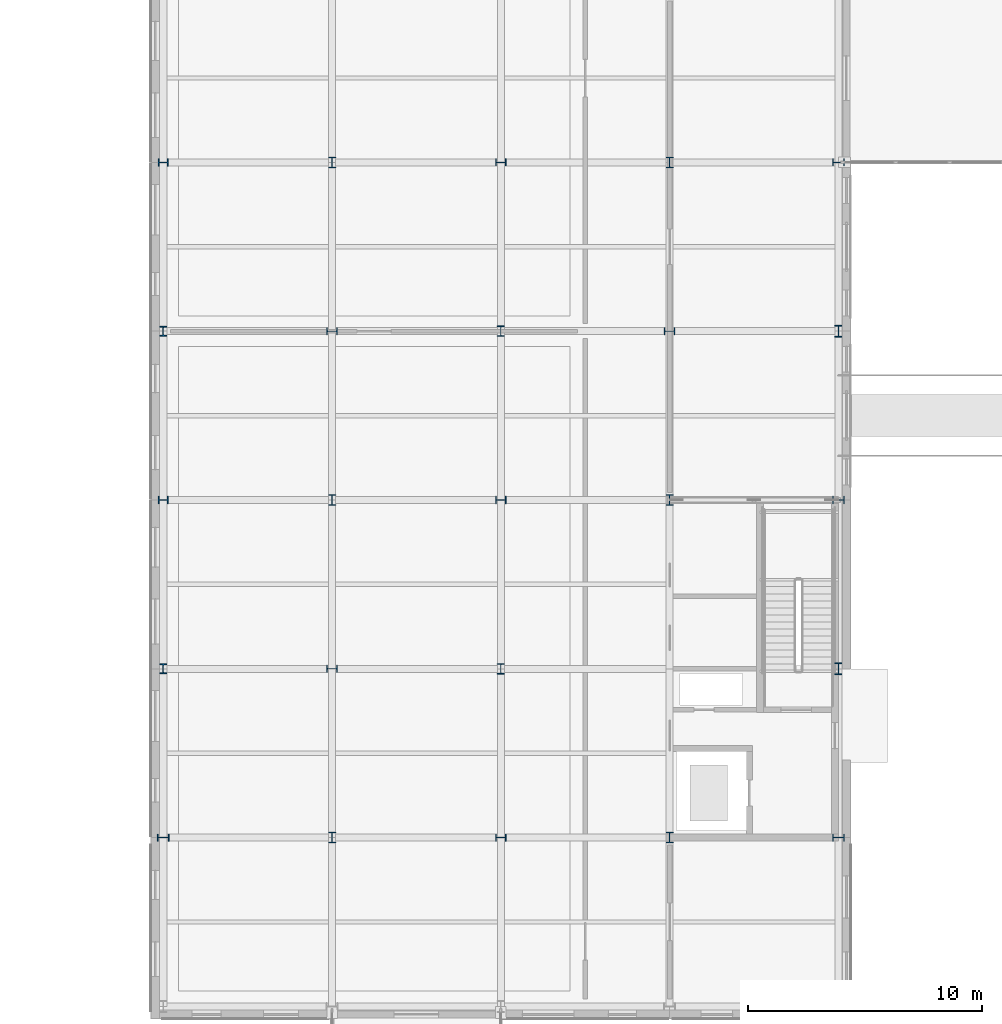
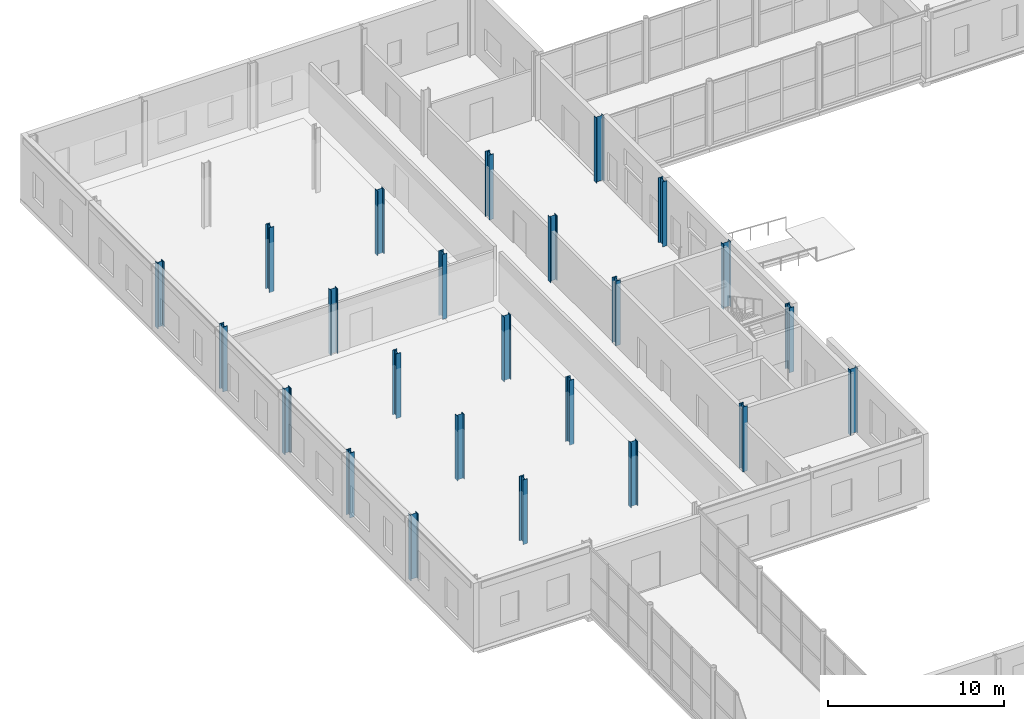
# One storey, part 10 of 92: 24 columns.
"""IFC4 building model written with IfcOpenShell, lengths in metres."""

from ifc_helpers import new_model, si_unit, direction, frame, origin, origin_2d, place, context, subcontext, project, spatial, i_section, extrude, material, material_profile, profile_set, type_object, element, save


model = new_model("IFC4")

# Units and contexts
model_context = context("Model", 3, precision=1e-05, world=origin(), true_north=direction((0.0, 1.0)))
body_context = subcontext(model_context, "Body", "Model", "MODEL_VIEW")
ifc_project = project(units=[si_unit("LENGTHUNIT", "METRE"), si_unit("AREAUNIT", "SQUARE_METRE"), si_unit("VOLUMEUNIT", "CUBIC_METRE"), si_unit("PLANEANGLEUNIT", "RADIAN"), si_unit("MASSUNIT", "GRAM", prefix="KILO")], contexts=[model_context])

# Site, building, storey
site_placement = place(None, origin())
site = spatial("IfcSite", under=ifc_project, at=site_placement, CompositionType="ELEMENT")
building_placement = place(site_placement, origin())
building = spatial("IfcBuilding", under=site, at=building_placement, Name="Zlatovets Crest Museum", CompositionType="ELEMENT")
storey_placement = place(building_placement, origin())
storey = spatial("IfcBuildingStorey", under=building, at=storey_placement, Name="L00", CompositionType="ELEMENT", Elevation=0.0)

# Columns
ifc_material = material(Name="Structural steel S355J2", Category="steel")
ifc_material_profile_1 = material_profile(ifc_material, i_section(OverallWidth=0.300048828125, OverallDepth=0.5, WebThickness=0.014404296875, FlangeThickness=0.028076171875, FilletRadius=0.027099609375, at=origin_2d()), Name="HEB 500")
ifc_profile_set_1 = profile_set([ifc_material_profile_1], Name="Structural steel S355J2")
column_type_1 = type_object("IfcColumnType", Name="Col_C-05", PredefinedType="COLUMN", material=ifc_profile_set_1)
for number, where, z_axis, x_axis, name in (
    (1, (7.199951171875, 57.60009765625, 0.0), (0.0, 0.0, 1.0), (0.0, 1.0, 0.0), "V4 L00 Column (7.2, 57.6)"),
    (2, (36.0, 57.60009765625, 0.0), (0.0, 0.0, 1.0), (0.0, 1.0, 0.0), "V4 L00 Column (36.0, 57.6)"),
    (3, (36.0, 64.800048828125, 0.0), (0.0, 0.0, 1.0), (1.0, 0.0, 0.0), "V4 L00 Column (36.0, 64.8)"),
    (4, (36.0, 72.0, 0.0), (0.0, 0.0, 1.0), (0.0, 1.0, 0.0), "V4 L00 Column (36.0, 72.0)"),
    (5, (36.0, 79.199951171875, 0.0), (0.0, 0.0, 1.0), (1.0, 0.0, 0.0), "V4 L00 Column (36.0, 79.2)"),
    (6, (36.0, 86.39990234375, 0.0), (0.0, 0.0, 1.0), (0.0, 1.0, 0.0), "V4 L00 Column (36.0, 86.4)"),
):
    element("IfcColumn", number, at=place(storey_placement, frame(where, z_axis=z_axis, x_axis=x_axis)), inside=storey, type_object=column_type_1, Name=name, PredefinedType="COLUMN", context=body_context, shape_type="SweptSolid", body=[
        extrude(i_section(OverallWidth=0.300048828125, OverallDepth=0.5, WebThickness=0.014404296875, FlangeThickness=0.028076171875, FilletRadius=0.027099609375, at=origin_2d()), origin(), (0.0, 0.0, 1.0), 4.5),
    ])
ifc_material_profile_2 = material_profile(ifc_material, i_section(OverallWidth=0.300048828125, OverallDepth=0.449951171875, WebThickness=0.013916015625, FlangeThickness=0.02587890625, FilletRadius=0.027099609375, at=origin_2d()), Name="HEB 450")
ifc_profile_set_2 = profile_set([ifc_material_profile_2], Name="Structural steel S355J2")
column_type_2 = type_object("IfcColumnType", Name="Col_C-06", PredefinedType="COLUMN", material=ifc_profile_set_2)
for number, where, z_axis, x_axis, name in (
    (7, (14.39990234375, 57.60009765625, 0.0), (0.0, 0.0, 1.0), (1.0, 0.0, 0.0), "V4 L00 Column (14.4, 57.6)"),
    (8, (14.39990234375, 64.800048828125, 0.0), (0.0, 0.0, 1.0), (0.0, 1.0, 0.0), "V4 L00 Column (14.4, 64.8)"),
    (9, (14.39990234375, 72.0, 0.0), (0.0, 0.0, 1.0), (1.0, 0.0, 0.0), "V4 L00 Column (14.4, 72.0)"),
    (10, (14.39990234375, 79.199951171875, 0.0), (0.0, 0.0, 1.0), (0.0, 1.0, 0.0), "V4 L00 Column (14.4, 79.2)"),
    (11, (14.39990234375, 86.39990234375, 0.0), (0.0, 0.0, 1.0), (1.0, 0.0, 0.0), "V4 L00 Column (14.4, 86.4)"),
    (12, (21.60009765625, 57.60009765625, 0.0), (0.0, 0.0, 1.0), (0.0, 1.0, 0.0), "V4 L00 Column (21.6, 57.6)"),
    (13, (21.60009765625, 64.800048828125, 0.0), (0.0, 0.0, 1.0), (1.0, 0.0, 0.0), "V4 L00 Column (21.6, 64.8)"),
    (14, (21.60009765625, 72.0, 0.0), (0.0, 0.0, 1.0), (0.0, 1.0, 0.0), "V4 L00 Column (21.6, 72.0)"),
    (15, (21.60009765625, 79.199951171875, 0.0), (0.0, 0.0, 1.0), (1.0, 0.0, 0.0), "V4 L00 Column (21.6, 79.2)"),
    (16, (21.60009765625, 86.39990234375, 0.0), (0.0, 0.0, 1.0), (0.0, 1.0, 0.0), "V4 L00 Column (21.6, 86.4)"),
    (17, (28.800048828125, 57.60009765625, 0.0), (0.0, 0.0, 1.0), (1.0, 0.0, 0.0), "V4 L00 Column (28.8, 57.6)"),
    (18, (28.800048828125, 72.0, 0.0), (0.0, 0.0, 1.0), (1.0, 0.0, 0.0), "V4 L00 Column (28.8, 72.0)"),
    (19, (28.800048828125, 79.199951171875, 0.0), (0.0, 0.0, 1.0), (0.0, 1.0, 0.0), "V4 L00 Column (28.8, 79.2)"),
    (20, (28.800048828125, 86.39990234375, 0.0), (0.0, 0.0, 1.0), (1.0, 0.0, 0.0), "V4 L00 Column (28.8, 86.4)"),
):
    element("IfcColumn", number, at=place(storey_placement, frame(where, z_axis=z_axis, x_axis=x_axis)), inside=storey, type_object=column_type_2, Name=name, PredefinedType="COLUMN", context=body_context, shape_type="SweptSolid", body=[
        extrude(i_section(OverallWidth=0.300048828125, OverallDepth=0.449951171875, WebThickness=0.013916015625, FlangeThickness=0.02587890625, FilletRadius=0.027099609375, at=origin_2d()), origin(), (0.0, 0.0, 1.0), 4.5),
    ])
ifc_material_profile_3 = material_profile(ifc_material, i_section(OverallWidth=0.306884765625, OverallDepth=0.431884765625, WebThickness=0.02099609375, FlangeThickness=0.0400390625, FilletRadius=0.027099609375, at=origin_2d()), Name="HEM 400")
ifc_profile_set_3 = profile_set([ifc_material_profile_3], Name="Structural steel S355J2")
column_type_3 = type_object("IfcColumnType", Name="Col_C-11", PredefinedType="COLUMN", material=ifc_profile_set_3)
for number, where, z_axis, x_axis, name in (
    (21, (7.199951171875, 64.800048828125, 0.0), (0.0, 0.0, 1.0), (1.0, 0.0, 0.0), "V4 L00 Column (7.2, 64.8)"),
    (22, (7.199951171875, 72.0, 0.0), (0.0, 0.0, 1.0), (0.0, 1.0, 0.0), "V4 L00 Column (7.2, 72.0)"),
    (23, (7.199951171875, 79.199951171875, 0.0), (0.0, 0.0, 1.0), (1.0, 0.0, 0.0), "V4 L00 Column (7.2, 79.2)"),
    (24, (7.199951171875, 86.39990234375, 0.0), (0.0, 0.0, 1.0), (0.0, 1.0, 0.0), "V4 L00 Column (7.2, 86.4)"),
):
    element("IfcColumn", number, at=place(storey_placement, frame(where, z_axis=z_axis, x_axis=x_axis)), inside=storey, type_object=column_type_3, Name=name, PredefinedType="COLUMN", context=body_context, shape_type="SweptSolid", body=[
        extrude(i_section(OverallWidth=0.306884765625, OverallDepth=0.431884765625, WebThickness=0.02099609375, FlangeThickness=0.0400390625, FilletRadius=0.027099609375, at=origin_2d()), origin(), (0.0, 0.0, 1.0), 4.5),
    ])

save(model, "model.ifc")
